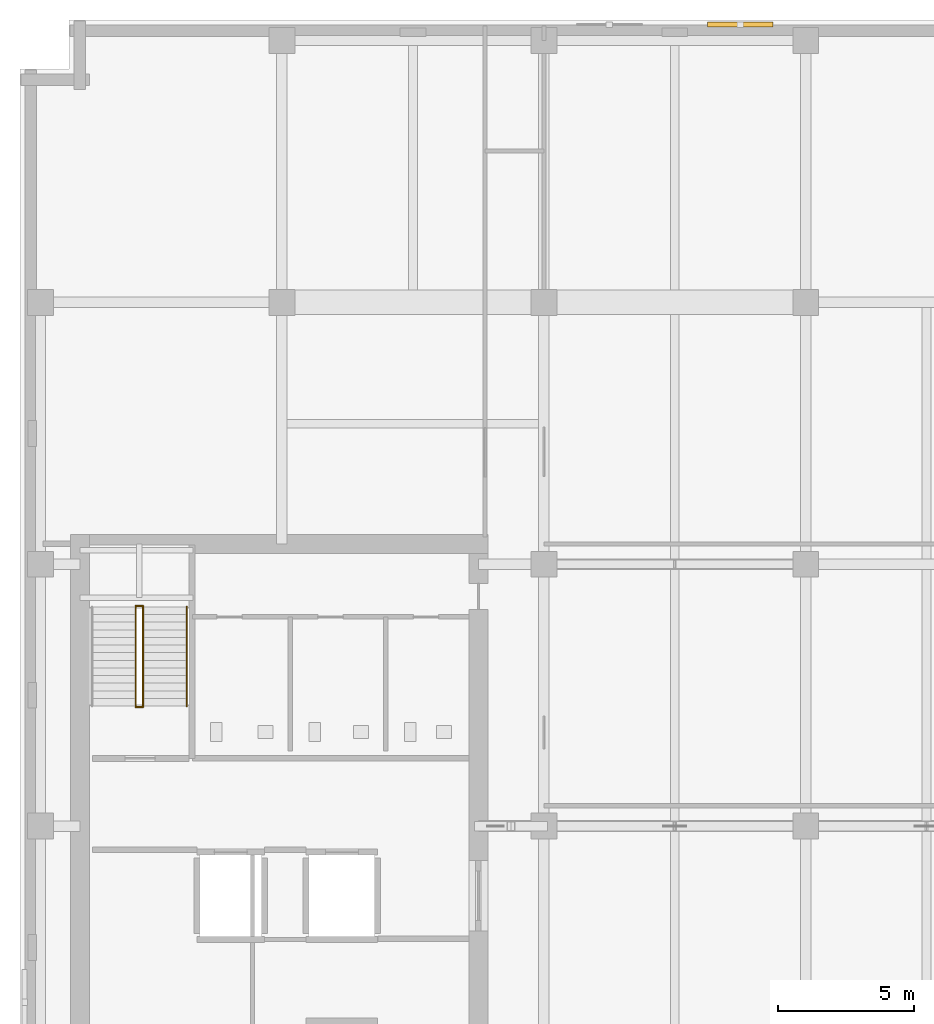
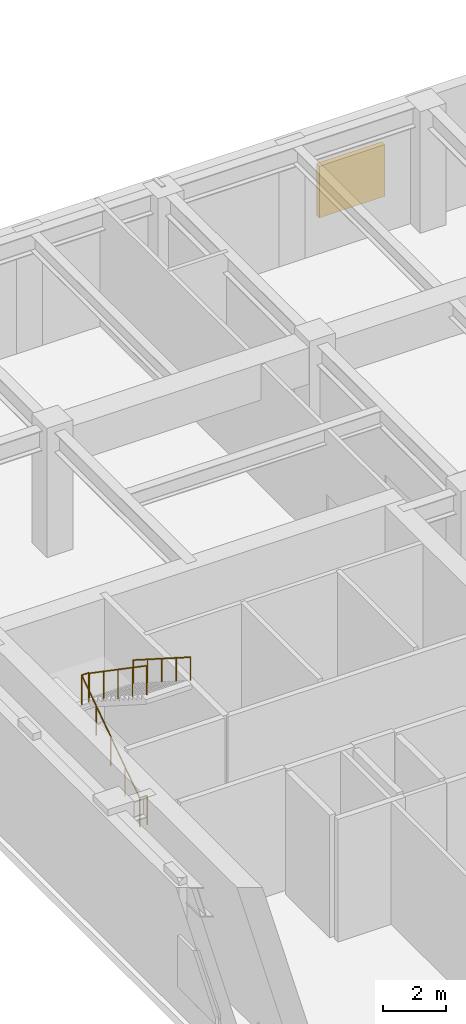
# One storey, part 20 of 21: 5 railings, 1 shading device.
"""IFC4 building model written with IfcOpenShell, lengths in metres."""

from ifc_helpers import new_model, si_unit, direction, frame, origin, origin_2d, place, context, subcontext, project, spatial, rectangle, circle, extrude, material, layer, layer_set, type_object, element, save


model = new_model("IFC4")

# Units and contexts
model_context = context("Model", 3, precision=1e-05, world=origin(), true_north=direction((0.0, 1.0)))
body_context = subcontext(model_context, "Body", "Model", "MODEL_VIEW")
ifc_project = project(units=[si_unit("LENGTHUNIT", "METRE"), si_unit("AREAUNIT", "SQUARE_METRE"), si_unit("VOLUMEUNIT", "CUBIC_METRE"), si_unit("PLANEANGLEUNIT", "RADIAN"), si_unit("MASSUNIT", "GRAM", prefix="KILO")], contexts=[model_context])

# Site, building, storey
site_placement = place(None, origin())
site = spatial("IfcSite", under=ifc_project, at=site_placement, CompositionType="ELEMENT")
building_placement = place(site_placement, origin())
building = spatial("IfcBuilding", under=site, at=building_placement, Name="Norrvale University Quadrangle", CompositionType="ELEMENT")
storey_placement = place(building_placement, frame((0.0, 0.0, 194.0)))
storey = spatial("IfcBuildingStorey", under=building, at=storey_placement, Name="L49", CompositionType="ELEMENT", Elevation=194.0)

# Railings
ifc_material_1 = material(Name="Steel 350W Painted Balustrade", Category="steel")
railing_type_1 = type_object("IfcRailingType", Name="Railing Stair Guard 1100", PredefinedType="GUARDRAIL", material=ifc_material_1)
for number, where, name in (
    (1, (4.239990234375, 42.02001953125, 0.0), "Stair Floor Well Guard ST-02 L49"),
    (2, (4.239990234375, 45.719970703125, 2.5), "Stair Mid-Landing Slot Guard ST-02 L49"),
):
    element("IfcRailing", number, at=place(storey_placement, frame(where)), inside=storey, type_object=railing_type_1, Name=name, PredefinedType="GUARDRAIL", context=body_context, shape_type="SweptSolid", body=[
        extrude(circle(Radius=0.02392578125, at=origin_2d()), frame((0.0, 0.0, 1.1259765625), z_axis=(1.0, 0.0, 0.0), x_axis=(0.0, 1.0, 0.0)), (0.0, 0.0, 1.0), 0.27001953125),
        extrude(circle(Radius=0.02099609375, at=origin_2d()), origin(), (0.0, 0.0, 1.0), 1.101806640625),
        extrude(circle(Radius=0.02099609375, at=origin_2d()), frame((0.27001953125, 0.0, 0.0)), (0.0, 0.0, 1.0), 1.101806640625),
    ])
railing_1_placement = place(storey_placement, frame((4.239990234375, 42.050048828125, 0.0)))
element("IfcRailing", 3, at=railing_1_placement, inside=storey, type_object=railing_type_1, Name="Stair Lower Flight Inner Guard ST-02 L49", PredefinedType="GUARDRAIL", context=body_context, shape_type="SweptSolid", body=[
    extrude(circle(Radius=0.02392578125, at=origin_2d()), frame((0.0, 0.0, 1.1259765625), z_axis=(0.0, 0.824298337968, 0.566155676491), x_axis=(-1.0, 0.0, 0.0)), (0.0, 0.0, 1.0), 4.415771484375),
    extrude(circle(Radius=0.02099609375, at=origin_2d()), origin(), (0.0, 0.0, 1.0), 1.101806640625),
    extrude(circle(Radius=0.02099609375, at=origin_2d()), frame((0.0, 0.909912109375, 0.625)), (0.0, 0.0, 1.0), 1.101806640625),
    extrude(circle(Radius=0.02099609375, at=origin_2d()), frame((0.0, 1.81982421875, 1.25)), (0.0, 0.0, 1.0), 1.101806640625),
    extrude(circle(Radius=0.02099609375, at=origin_2d()), frame((0.0, 2.72998046875, 1.875)), (0.0, 0.0, 1.0), 1.101806640625),
    extrude(circle(Radius=0.02099609375, at=origin_2d()), frame((0.0, 3.639892578125, 2.5)), (0.0, 0.0, 1.0), 1.101806640625),
])
railing_2_placement = place(storey_placement, frame((4.510009765625, 45.68994140625, 2.5)))
element("IfcRailing", 4, at=railing_2_placement, inside=storey, type_object=railing_type_1, Name="Stair Upper Flight Inner Guard ST-02 L49", PredefinedType="GUARDRAIL", context=body_context, shape_type="SweptSolid", body=[
    extrude(circle(Radius=0.02392578125, at=origin_2d()), frame((0.0, 0.0, 1.1259765625), z_axis=(0.0, -0.824298337968, 0.566155676491), x_axis=(1.0, 0.0, 0.0)), (0.0, 0.0, 1.0), 4.415771484375),
    extrude(circle(Radius=0.02099609375, at=origin_2d()), origin(), (0.0, 0.0, 1.0), 1.101806640625),
    extrude(circle(Radius=0.02099609375, at=origin_2d()), frame((0.0, -0.909912109375, 0.625)), (0.0, 0.0, 1.0), 1.101806640625),
    extrude(circle(Radius=0.02099609375, at=origin_2d()), frame((0.0, -1.81982421875, 1.25)), (0.0, 0.0, 1.0), 1.101806640625),
    extrude(circle(Radius=0.02099609375, at=origin_2d()), frame((0.0, -2.72998046875, 1.875)), (0.0, 0.0, 1.0), 1.101806640625),
    extrude(circle(Radius=0.02099609375, at=origin_2d()), frame((0.0, -3.639892578125, 2.5)), (0.0, 0.0, 1.0), 1.101806640625),
])
ifc_material_2 = material(Name="Stainless Steel 316L Handrail", Category="steel")
railing_type_2 = type_object("IfcRailingType", Name="Railing Stair Handrail 920", PredefinedType="HANDRAIL", material=ifc_material_2)
railing_3_placement = place(storey_placement, frame((6.110107421875, 45.68994140625, 2.6787109375)))
element("IfcRailing", 5, at=railing_3_placement, inside=storey, type_object=railing_type_2, Name="Stair Upper Flight Handrail ST-02 L49", PredefinedType="HANDRAIL", context=body_context, shape_type="SweptSolid", body=[
    extrude(circle(Radius=0.02392578125, at=origin_2d()), frame((0.0, 0.0, 0.89599609375), z_axis=(0.0, -0.843137146238, 0.537698570422), x_axis=(1.0, 0.0, 0.0)), (0.0, 0.0, 1.0), 4.317138671875),
    extrude(circle(Radius=0.02099609375, at=origin_2d()), origin(), (0.0, 0.0, 1.0), 0.871826171875),
    extrude(circle(Radius=0.02099609375, at=origin_2d()), frame((0.0, -0.909912109375, 0.580322265625)), (0.0, 0.0, 1.0), 0.871826171875),
    extrude(circle(Radius=0.02099609375, at=origin_2d()), frame((0.0, -1.81982421875, 1.16064453125)), (0.0, 0.0, 1.0), 0.871826171875),
    extrude(circle(Radius=0.02099609375, at=origin_2d()), frame((0.0, -2.72998046875, 1.740966796875)), (0.0, 0.0, 1.0), 0.871826171875),
    extrude(circle(Radius=0.02099609375, at=origin_2d()), frame((0.0, -3.639892578125, 2.3212890625)), (0.0, 0.0, 1.0), 0.871826171875),
])

# Shading device
ifc_material_3 = material(Name="Anodized Aluminium 6063-T6", Category="aluminium")
ifc_layer = layer(ifc_material_3, 0.179931640625, Name="Anodized Aluminium 6063-T6")
ifc_layer_set = layer_set([ifc_layer], Name="Anodized Aluminium 6063-T6")
shading_device_type = type_object("IfcShadingDeviceType", Name="Shade Louvre 180", PredefinedType="JALOUSIE", material=ifc_layer_set)
shading_device_placement = place(storey_placement, frame((26.39990234375, 67.0400390625, 1.10009765625), z_axis=(0.0, 0.0, 1.0), x_axis=(-1.0, 0.0, 0.0)))
element("IfcShadingDevice", 6, at=shading_device_placement, inside=storey, type_object=shading_device_type, Name="Plant Intake Weather Louvre 012", PredefinedType="JALOUSIE", context=body_context, shape_type="SweptSolid", body=[
    extrude(rectangle(XDim=2.39990234375, YDim=0.179931640625, at=origin_2d()), origin(), (0.0, 0.0, 1.0), 2.0),
])

save(model, "model.ifc")
